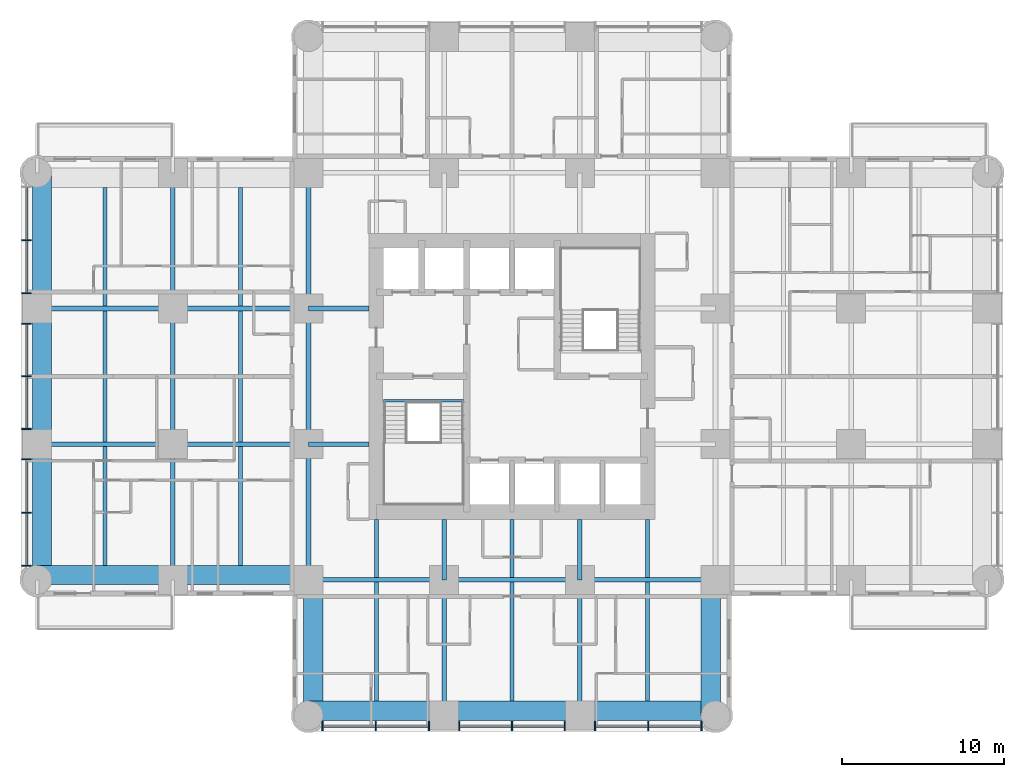
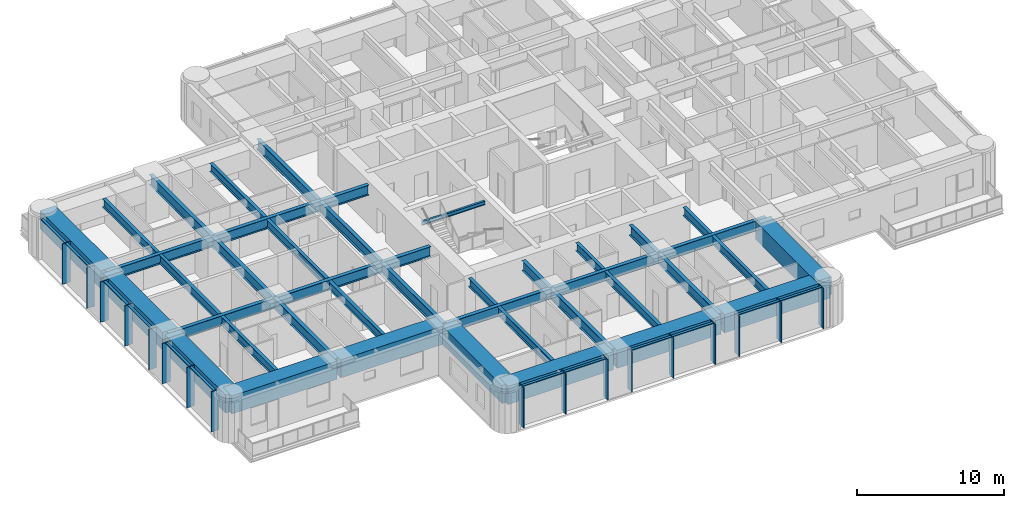
# One storey, part 2 of 14: 42 beams, 29 members, 2 elements without a shape of their own.
"""IFC4 building model written with IfcOpenShell, lengths in metres."""

from ifc_helpers import new_model, si_unit, direction, frame, origin, origin_2d, place, context, subcontext, project, spatial, rectangle, i_section, extrude, material, material_profile, profile_set, type_object, element, aggregate, save


model = new_model("IFC4")

# Units and contexts
model_context = context("Model", 3, precision=1e-05, world=origin(), true_north=direction((0.0, 1.0)))
body_context = subcontext(model_context, "Body", "Model", "MODEL_VIEW")
ifc_project = project(units=[si_unit("LENGTHUNIT", "METRE"), si_unit("AREAUNIT", "SQUARE_METRE"), si_unit("VOLUMEUNIT", "CUBIC_METRE"), si_unit("PLANEANGLEUNIT", "RADIAN"), si_unit("MASSUNIT", "GRAM", prefix="KILO")], contexts=[model_context])

# Site, building, storey
site_placement = place(None, origin())
site = spatial("IfcSite", under=ifc_project, at=site_placement, CompositionType="ELEMENT")
building_placement = place(site_placement, origin())
building = spatial("IfcBuilding", under=site, at=building_placement, Name="Torre Alcanfor", CompositionType="ELEMENT")
storey_placement = place(building_placement, frame((0.0, 0.0, 173.699951171875)))
storey = spatial("IfcBuildingStorey", under=building, at=storey_placement, Name="L45", CompositionType="ELEMENT", Elevation=173.699951171875)

# Curtain wall, members
ifc_material_1 = material(Name="Aluminium and glass", Category="aluminium")
curtain_wall_type = type_object("IfcCurtainWallType", Name="CW-A unitised apartment glazing with vertical FIN", PredefinedType="NOTDEFINED", material=ifc_material_1)
curtain_wall_1_placement = place(storey_placement, origin())
curtain_wall_1 = element("IfcCurtainWall", 1, at=curtain_wall_1_placement, inside=storey, type_object=curtain_wall_type, Name="Curtain wall CW-A L45 2", PredefinedType="NOTDEFINED")
ifc_material_2 = material(Name="Bronze anodised aluminium", Category="aluminium")
ifc_material_profile_1 = material_profile(ifc_material_2, rectangle(XDim=0.60009765625, YDim=0.06494140625, at=origin_2d()), Name="CW-A mullion 65x600")
ifc_profile_set_1 = profile_set([ifc_material_profile_1], Name="Bronze anodised aluminium")
member_type_1 = type_object("IfcMemberType", Name="CW-A mullion with vertical FIN 65x600", PredefinedType="MULLION", material=ifc_profile_set_1)
member_1_placement = place(storey_placement, frame((-0.64990234375, 37.835205078125, 0.0), z_axis=(0.0, 0.0, 1.0), x_axis=(1.0, 0.0, 0.0)))
member_1 = element("IfcMember", 2, at=member_1_placement, type_object=member_type_1, Name="CW-A mullion 1.2", PredefinedType="MULLION", context=body_context, shape_type="SweptSolid", body=[
    extrude(rectangle(XDim=0.60009765625, YDim=0.06494140625, at=origin_2d()), origin(), (0.0, 0.0, 1.0), 3.35009765625),
])
member_2_placement = place(storey_placement, frame((-0.64990234375, 34.53759765625, 0.0), z_axis=(0.0, 0.0, 1.0), x_axis=(1.0, 0.0, 0.0)))
member_2 = element("IfcMember", 3, at=member_2_placement, type_object=member_type_1, Name="CW-A mullion 1.3", PredefinedType="MULLION", context=body_context, shape_type="SweptSolid", body=[
    extrude(rectangle(XDim=0.60009765625, YDim=0.06494140625, at=origin_2d()), origin(), (0.0, 0.0, 1.0), 3.35009765625),
])
member_3_placement = place(storey_placement, frame((-0.64990234375, 32.66259765625, 0.0), z_axis=(0.0, 0.0, 1.0), x_axis=(1.0, 0.0, 0.0)))
member_3 = element("IfcMember", 4, at=member_3_placement, type_object=member_type_1, Name="CW-A mullion 2.1", PredefinedType="MULLION", context=body_context, shape_type="SweptSolid", body=[
    extrude(rectangle(XDim=0.60009765625, YDim=0.06494140625, at=origin_2d()), origin(), (0.0, 0.0, 1.0), 3.35009765625),
])
member_4_placement = place(storey_placement, frame((-0.64990234375, 29.39990234375, 0.0), z_axis=(0.0, 0.0, 1.0), x_axis=(1.0, 0.0, 0.0)))
member_4 = element("IfcMember", 5, at=member_4_placement, type_object=member_type_1, Name="CW-A mullion 2.2", PredefinedType="MULLION", context=body_context, shape_type="SweptSolid", body=[
    extrude(rectangle(XDim=0.60009765625, YDim=0.06494140625, at=origin_2d()), origin(), (0.0, 0.0, 1.0), 3.35009765625),
])
member_5_placement = place(storey_placement, frame((-0.64990234375, 26.137451171875, 0.0), z_axis=(0.0, 0.0, 1.0), x_axis=(1.0, 0.0, 0.0)))
member_5 = element("IfcMember", 6, at=member_5_placement, type_object=member_type_1, Name="CW-A mullion 2.3", PredefinedType="MULLION", context=body_context, shape_type="SweptSolid", body=[
    extrude(rectangle(XDim=0.60009765625, YDim=0.06494140625, at=origin_2d()), origin(), (0.0, 0.0, 1.0), 3.35009765625),
])
member_6_placement = place(storey_placement, frame((-0.64990234375, 24.262451171875, 0.0), z_axis=(0.0, 0.0, 1.0), x_axis=(1.0, 0.0, 0.0)))
member_6 = element("IfcMember", 7, at=member_6_placement, type_object=member_type_1, Name="CW-A mullion 3.1", PredefinedType="MULLION", context=body_context, shape_type="SweptSolid", body=[
    extrude(rectangle(XDim=0.60009765625, YDim=0.06494140625, at=origin_2d()), origin(), (0.0, 0.0, 1.0), 3.35009765625),
])
member_7_placement = place(storey_placement, frame((-0.64990234375, 20.96484375, 0.0), z_axis=(0.0, 0.0, 1.0), x_axis=(1.0, 0.0, 0.0)))
member_7 = element("IfcMember", 8, at=member_7_placement, type_object=member_type_1, Name="CW-A mullion 3.2", PredefinedType="MULLION", context=body_context, shape_type="SweptSolid", body=[
    extrude(rectangle(XDim=0.60009765625, YDim=0.06494140625, at=origin_2d()), origin(), (0.0, 0.0, 1.0), 3.35009765625),
])
member_8_placement = place(storey_placement, frame((-0.64990234375, 17.6669921875, 0.0), z_axis=(0.0, 0.0, 1.0), x_axis=(1.0, 0.0, 0.0)))
member_8 = element("IfcMember", 9, at=member_8_placement, type_object=member_type_1, Name="CW-A mullion 3.3", PredefinedType="MULLION", context=body_context, shape_type="SweptSolid", body=[
    extrude(rectangle(XDim=0.60009765625, YDim=0.06494140625, at=origin_2d()), origin(), (0.0, 0.0, 1.0), 3.35009765625),
])

curtain_wall_2_placement = place(storey_placement, origin())
curtain_wall_2 = element("IfcCurtainWall", 10, at=curtain_wall_2_placement, inside=storey, type_object=curtain_wall_type, Name="Curtain wall CW-A L45 5", PredefinedType="NOTDEFINED")
member_9_placement = place(storey_placement, frame((17.6669921875, 7.75, 0.0), z_axis=(0.0, 0.0, 1.0), x_axis=(0.0, 1.0, 0.0)))
member_9 = element("IfcMember", 11, at=member_9_placement, type_object=member_type_1, Name="CW-A mullion 1.1", PredefinedType="MULLION", context=body_context, shape_type="SweptSolid", body=[
    extrude(rectangle(XDim=0.60009765625, YDim=0.06494140625, at=origin_2d()), origin(), (0.0, 0.0, 1.0), 3.35009765625),
])
member_10_placement = place(storey_placement, frame((20.96484375, 7.75, 0.0), z_axis=(0.0, 0.0, 1.0), x_axis=(0.0, 1.0, 0.0)))
member_10 = element("IfcMember", 12, at=member_10_placement, type_object=member_type_1, Name="CW-A mullion 1.2", PredefinedType="MULLION", context=body_context, shape_type="SweptSolid", body=[
    extrude(rectangle(XDim=0.60009765625, YDim=0.06494140625, at=origin_2d()), origin(), (0.0, 0.0, 1.0), 3.35009765625),
])
member_11_placement = place(storey_placement, frame((24.262451171875, 7.75, 0.0), z_axis=(0.0, 0.0, 1.0), x_axis=(0.0, 1.0, 0.0)))
member_11 = element("IfcMember", 13, at=member_11_placement, type_object=member_type_1, Name="CW-A mullion 1.3", PredefinedType="MULLION", context=body_context, shape_type="SweptSolid", body=[
    extrude(rectangle(XDim=0.60009765625, YDim=0.06494140625, at=origin_2d()), origin(), (0.0, 0.0, 1.0), 3.35009765625),
])
member_12_placement = place(storey_placement, frame((26.137451171875, 7.75, 0.0), z_axis=(0.0, 0.0, 1.0), x_axis=(0.0, 1.0, 0.0)))
member_12 = element("IfcMember", 14, at=member_12_placement, type_object=member_type_1, Name="CW-A mullion 2.1", PredefinedType="MULLION", context=body_context, shape_type="SweptSolid", body=[
    extrude(rectangle(XDim=0.60009765625, YDim=0.06494140625, at=origin_2d()), origin(), (0.0, 0.0, 1.0), 3.35009765625),
])
member_13_placement = place(storey_placement, frame((29.39990234375, 7.75, 0.0), z_axis=(0.0, 0.0, 1.0), x_axis=(0.0, 1.0, 0.0)))
member_13 = element("IfcMember", 15, at=member_13_placement, type_object=member_type_1, Name="CW-A mullion 2.2", PredefinedType="MULLION", context=body_context, shape_type="SweptSolid", body=[
    extrude(rectangle(XDim=0.60009765625, YDim=0.06494140625, at=origin_2d()), origin(), (0.0, 0.0, 1.0), 3.35009765625),
])
member_14_placement = place(storey_placement, frame((32.66259765625, 7.75, 0.0), z_axis=(0.0, 0.0, 1.0), x_axis=(0.0, 1.0, 0.0)))
member_14 = element("IfcMember", 16, at=member_14_placement, type_object=member_type_1, Name="CW-A mullion 2.3", PredefinedType="MULLION", context=body_context, shape_type="SweptSolid", body=[
    extrude(rectangle(XDim=0.60009765625, YDim=0.06494140625, at=origin_2d()), origin(), (0.0, 0.0, 1.0), 3.35009765625),
])
member_15_placement = place(storey_placement, frame((34.53759765625, 7.75, 0.0), z_axis=(0.0, 0.0, 1.0), x_axis=(0.0, 1.0, 0.0)))
member_15 = element("IfcMember", 17, at=member_15_placement, type_object=member_type_1, Name="CW-A mullion 3.1", PredefinedType="MULLION", context=body_context, shape_type="SweptSolid", body=[
    extrude(rectangle(XDim=0.60009765625, YDim=0.06494140625, at=origin_2d()), origin(), (0.0, 0.0, 1.0), 3.35009765625),
])
member_16_placement = place(storey_placement, frame((37.835205078125, 7.75, 0.0), z_axis=(0.0, 0.0, 1.0), x_axis=(0.0, 1.0, 0.0)))
member_16 = element("IfcMember", 18, at=member_16_placement, type_object=member_type_1, Name="CW-A mullion 3.2", PredefinedType="MULLION", context=body_context, shape_type="SweptSolid", body=[
    extrude(rectangle(XDim=0.60009765625, YDim=0.06494140625, at=origin_2d()), origin(), (0.0, 0.0, 1.0), 3.35009765625),
])
member_17_placement = place(storey_placement, frame((41.133056640625, 7.75, 0.0), z_axis=(0.0, 0.0, 1.0), x_axis=(0.0, 1.0, 0.0)))
member_17 = element("IfcMember", 19, at=member_17_placement, type_object=member_type_1, Name="CW-A mullion 3.3", PredefinedType="MULLION", context=body_context, shape_type="SweptSolid", body=[
    extrude(rectangle(XDim=0.60009765625, YDim=0.06494140625, at=origin_2d()), origin(), (0.0, 0.0, 1.0), 3.35009765625),
])

# Member
ifc_material_3 = material(Name="Extruded aluminium", Category="aluminium")
ifc_material_profile_2 = material_profile(ifc_material_3, rectangle(XDim=0.199951171875, YDim=0.06494140625, at=origin_2d()), Name="CW-A transom 200x65")
ifc_profile_set_2 = profile_set([ifc_material_profile_2], Name="Extruded aluminium")
member_type_2 = type_object("IfcMemberType", Name="CW-A transom 65x200", PredefinedType="USERDEFINED", material=ifc_profile_set_2)
member_18_placement = place(storey_placement, frame((-0.64990234375, 41.1005859375, 3.317626953125), z_axis=(0.0, -1.0, 0.0), x_axis=(1.0, 0.0, 0.0)))
member_18 = element("IfcMember", 20, at=member_18_placement, type_object=member_type_2, Name="CW-A transom 1.1.2", ObjectType="TRANSOM", PredefinedType="USERDEFINED", context=body_context, shape_type="SweptSolid", body=[
    extrude(rectangle(XDim=0.199951171875, YDim=0.06494140625, at=origin_2d()), origin(), (0.0, 0.0, 1.0), 3.23291015625),
])

member_19_placement = place(storey_placement, frame((-0.64990234375, 37.802734375, 3.317626953125), z_axis=(0.0, -1.0, 0.0), x_axis=(1.0, 0.0, 0.0)))
member_19 = element("IfcMember", 21, at=member_19_placement, type_object=member_type_2, Name="CW-A transom 1.2.2", ObjectType="TRANSOM", PredefinedType="USERDEFINED", context=body_context, shape_type="SweptSolid", body=[
    extrude(rectangle(XDim=0.199951171875, YDim=0.06494140625, at=origin_2d()), origin(), (0.0, 0.0, 1.0), 3.232666015625),
])

member_20_placement = place(storey_placement, frame((-0.64990234375, 32.6298828125, 3.317626953125), z_axis=(0.0, -1.0, 0.0), x_axis=(1.0, 0.0, 0.0)))
member_20 = element("IfcMember", 22, at=member_20_placement, type_object=member_type_2, Name="CW-A transom 2.1.2", ObjectType="TRANSOM", PredefinedType="USERDEFINED", context=body_context, shape_type="SweptSolid", body=[
    extrude(rectangle(XDim=0.199951171875, YDim=0.06494140625, at=origin_2d()), origin(), (0.0, 0.0, 1.0), 3.197265625),
])

member_21_placement = place(storey_placement, frame((-0.64990234375, 29.367431640625, 3.317626953125), z_axis=(0.0, -1.0, 0.0), x_axis=(1.0, 0.0, 0.0)))
member_21 = element("IfcMember", 23, at=member_21_placement, type_object=member_type_2, Name="CW-A transom 2.2.2", ObjectType="TRANSOM", PredefinedType="USERDEFINED", context=body_context, shape_type="SweptSolid", body=[
    extrude(rectangle(XDim=0.199951171875, YDim=0.06494140625, at=origin_2d()), origin(), (0.0, 0.0, 1.0), 3.197509765625),
])

member_22_placement = place(storey_placement, frame((-0.64990234375, 24.22998046875, 3.317626953125), z_axis=(0.0, -1.0, 0.0), x_axis=(1.0, 0.0, 0.0)))
member_22 = element("IfcMember", 24, at=member_22_placement, type_object=member_type_2, Name="CW-A transom 3.1.2", ObjectType="TRANSOM", PredefinedType="USERDEFINED", context=body_context, shape_type="SweptSolid", body=[
    extrude(rectangle(XDim=0.199951171875, YDim=0.06494140625, at=origin_2d()), origin(), (0.0, 0.0, 1.0), 3.232666015625),
])

member_23_placement = place(storey_placement, frame((-0.64990234375, 20.93212890625, 3.317626953125), z_axis=(0.0, -1.0, 0.0), x_axis=(1.0, 0.0, 0.0)))
member_23 = element("IfcMember", 25, at=member_23_placement, type_object=member_type_2, Name="CW-A transom 3.2.2", ObjectType="TRANSOM", PredefinedType="USERDEFINED", context=body_context, shape_type="SweptSolid", body=[
    extrude(rectangle(XDim=0.199951171875, YDim=0.06494140625, at=origin_2d()), origin(), (0.0, 0.0, 1.0), 3.232666015625),
])

aggregate(curtain_wall_1, [member_1, member_2, member_18, member_19, member_3, member_4, member_5, member_20, member_21, member_6, member_7, member_8, member_22, member_23])

member_24_placement = place(storey_placement, frame((17.699462890625, 7.75, 3.317626953125), z_axis=(1.0, 0.0, 0.0), x_axis=(0.0, 1.0, 0.0)))
member_24 = element("IfcMember", 26, at=member_24_placement, type_object=member_type_2, Name="CW-A transom 1.1.2", ObjectType="TRANSOM", PredefinedType="USERDEFINED", context=body_context, shape_type="SweptSolid", body=[
    extrude(rectangle(XDim=0.199951171875, YDim=0.06494140625, at=origin_2d()), origin(), (0.0, 0.0, 1.0), 3.232666015625),
])

member_25_placement = place(storey_placement, frame((20.997314453125, 7.75, 3.317626953125), z_axis=(1.0, 0.0, 0.0), x_axis=(0.0, 1.0, 0.0)))
member_25 = element("IfcMember", 27, at=member_25_placement, type_object=member_type_2, Name="CW-A transom 1.2.2", ObjectType="TRANSOM", PredefinedType="USERDEFINED", context=body_context, shape_type="SweptSolid", body=[
    extrude(rectangle(XDim=0.199951171875, YDim=0.06494140625, at=origin_2d()), origin(), (0.0, 0.0, 1.0), 3.232666015625),
])

member_26_placement = place(storey_placement, frame((26.169921875, 7.75, 3.317626953125), z_axis=(1.0, 0.0, 0.0), x_axis=(0.0, 1.0, 0.0)))
member_26 = element("IfcMember", 28, at=member_26_placement, type_object=member_type_2, Name="CW-A transom 2.1.2", ObjectType="TRANSOM", PredefinedType="USERDEFINED", context=body_context, shape_type="SweptSolid", body=[
    extrude(rectangle(XDim=0.199951171875, YDim=0.06494140625, at=origin_2d()), origin(), (0.0, 0.0, 1.0), 3.197509765625),
])

member_27_placement = place(storey_placement, frame((29.4326171875, 7.75, 3.317626953125), z_axis=(1.0, 0.0, 0.0), x_axis=(0.0, 1.0, 0.0)))
member_27 = element("IfcMember", 29, at=member_27_placement, type_object=member_type_2, Name="CW-A transom 2.2.2", ObjectType="TRANSOM", PredefinedType="USERDEFINED", context=body_context, shape_type="SweptSolid", body=[
    extrude(rectangle(XDim=0.199951171875, YDim=0.06494140625, at=origin_2d()), origin(), (0.0, 0.0, 1.0), 3.197265625),
])

member_28_placement = place(storey_placement, frame((34.570068359375, 7.75, 3.317626953125), z_axis=(1.0, 0.0, 0.0), x_axis=(0.0, 1.0, 0.0)))
member_28 = element("IfcMember", 30, at=member_28_placement, type_object=member_type_2, Name="CW-A transom 3.1.2", ObjectType="TRANSOM", PredefinedType="USERDEFINED", context=body_context, shape_type="SweptSolid", body=[
    extrude(rectangle(XDim=0.199951171875, YDim=0.06494140625, at=origin_2d()), origin(), (0.0, 0.0, 1.0), 3.232666015625),
])

member_29_placement = place(storey_placement, frame((37.86767578125, 7.75, 3.317626953125), z_axis=(1.0, 0.0, 0.0), x_axis=(0.0, 1.0, 0.0)))
member_29 = element("IfcMember", 31, at=member_29_placement, type_object=member_type_2, Name="CW-A transom 3.2.2", ObjectType="TRANSOM", PredefinedType="USERDEFINED", context=body_context, shape_type="SweptSolid", body=[
    extrude(rectangle(XDim=0.199951171875, YDim=0.06494140625, at=origin_2d()), origin(), (0.0, 0.0, 1.0), 3.23291015625),
])

aggregate(curtain_wall_2, [member_9, member_10, member_11, member_24, member_25, member_12, member_13, member_14, member_26, member_27, member_15, member_16, member_17, member_28, member_29])

# Beams
ifc_material_4 = material(Name="Steel ASTM A992 Grade 50", Category="steel")
ifc_material_profile_3 = material_profile(ifc_material_4, i_section(OverallWidth=0.2919921875, OverallDepth=0.8408203125, WebThickness=0.0146484375, FlangeThickness=0.021728515625, at=origin_2d()), Name="W33x130")
ifc_profile_set_3 = profile_set([ifc_material_profile_3], Name="Steel ASTM A992 Grade 50")
beam_type_1 = type_object("IfcBeamType", Name="Girder W33x130", PredefinedType="BEAM", material=ifc_profile_set_3)
beam_1_placement = place(storey_placement, frame((16.800048828125, 16.800048828125, 2.9296875), z_axis=(1.0, 0.0, 0.0), x_axis=(0.0, 1.0, 0.0)))
element("IfcBeam", 32, at=beam_1_placement, inside=storey, type_object=beam_type_1, Name="Beam 3E-4E under L46", PredefinedType="BEAM", context=body_context, shape_type="SweptSolid", body=[
    extrude(i_section(OverallWidth=0.2919921875, OverallDepth=0.8408203125, WebThickness=0.0146484375, FlangeThickness=0.021728515625, at=origin_2d()), origin(), (0.0, 0.0, 1.0), 8.39990234375),
])
beam_2_placement = place(storey_placement, frame((25.199951171875, 16.800048828125, 2.9296875), z_axis=(1.0, 0.0, 0.0), x_axis=(0.0, 1.0, 0.0)))
element("IfcBeam", 33, at=beam_2_placement, inside=storey, type_object=beam_type_1, Name="Beam 4E-5E under L46", PredefinedType="BEAM", context=body_context, shape_type="SweptSolid", body=[
    extrude(i_section(OverallWidth=0.2919921875, OverallDepth=0.8408203125, WebThickness=0.0146484375, FlangeThickness=0.021728515625, at=origin_2d()), origin(), (0.0, 0.0, 1.0), 8.400146484375),
])
for number, where, z_axis, x_axis, name in (
    (34, (33.60009765625, 16.800048828125, 2.9296875), (1.0, 0.0, 0.0), (0.0, 1.0, 0.0), "Beam 5E-6E under L46"),
    (35, (0.0, 25.199951171875, 2.9296875), (1.0, 0.0, 0.0), (0.0, 1.0, 0.0), "Beam 1F-2F under L46"),
):
    element("IfcBeam", number, at=place(storey_placement, frame(where, z_axis=z_axis, x_axis=x_axis)), inside=storey, type_object=beam_type_1, Name=name, PredefinedType="BEAM", context=body_context, shape_type="SweptSolid", body=[
        extrude(i_section(OverallWidth=0.2919921875, OverallDepth=0.8408203125, WebThickness=0.0146484375, FlangeThickness=0.021728515625, at=origin_2d()), origin(), (0.0, 0.0, 1.0), 8.39990234375),
    ])
beam_3_placement = place(storey_placement, frame((8.39990234375, 25.199951171875, 2.9296875), z_axis=(1.0, 0.0, 0.0), x_axis=(0.0, 1.0, 0.0)))
element("IfcBeam", 36, at=beam_3_placement, inside=storey, type_object=beam_type_1, Name="Beam 2F-3F under L46", PredefinedType="BEAM", context=body_context, shape_type="SweptSolid", body=[
    extrude(i_section(OverallWidth=0.2919921875, OverallDepth=0.8408203125, WebThickness=0.0146484375, FlangeThickness=0.021728515625, at=origin_2d()), origin(), (0.0, 0.0, 1.0), 8.400146484375),
])
beam_4_placement = place(storey_placement, frame((0.0, 33.60009765625, 2.9296875), z_axis=(1.0, 0.0, 0.0), x_axis=(0.0, 1.0, 0.0)))
element("IfcBeam", 37, at=beam_4_placement, inside=storey, type_object=beam_type_1, Name="Beam 1G-2G under L46", PredefinedType="BEAM", context=body_context, shape_type="SweptSolid", body=[
    extrude(i_section(OverallWidth=0.2919921875, OverallDepth=0.8408203125, WebThickness=0.0146484375, FlangeThickness=0.021728515625, at=origin_2d()), origin(), (0.0, 0.0, 1.0), 8.39990234375),
])
beam_5_placement = place(storey_placement, frame((8.39990234375, 33.60009765625, 2.9296875), z_axis=(1.0, 0.0, 0.0), x_axis=(0.0, 1.0, 0.0)))
element("IfcBeam", 38, at=beam_5_placement, inside=storey, type_object=beam_type_1, Name="Beam 2G-3G under L46", PredefinedType="BEAM", context=body_context, shape_type="SweptSolid", body=[
    extrude(i_section(OverallWidth=0.2919921875, OverallDepth=0.8408203125, WebThickness=0.0146484375, FlangeThickness=0.021728515625, at=origin_2d()), origin(), (0.0, 0.0, 1.0), 8.400146484375),
])
beam_6_placement = place(storey_placement, frame((8.39990234375, 16.800048828125, 2.9296875), z_axis=(0.0, 1.0, 0.0), x_axis=(-1.0, 0.0, 0.0)))
element("IfcBeam", 39, at=beam_6_placement, inside=storey, type_object=beam_type_1, Name="Beam 2E-2F under L46", PredefinedType="BEAM", context=body_context, shape_type="SweptSolid", body=[
    extrude(i_section(OverallWidth=0.2919921875, OverallDepth=0.8408203125, WebThickness=0.0146484375, FlangeThickness=0.021728515625, at=origin_2d()), origin(), (0.0, 0.0, 1.0), 8.39990234375),
])
beam_7_placement = place(storey_placement, frame((8.39990234375, 25.199951171875, 2.9296875), z_axis=(0.0, 1.0, 0.0), x_axis=(-1.0, 0.0, 0.0)))
element("IfcBeam", 40, at=beam_7_placement, inside=storey, type_object=beam_type_1, Name="Beam 2F-2G under L46", PredefinedType="BEAM", context=body_context, shape_type="SweptSolid", body=[
    extrude(i_section(OverallWidth=0.2919921875, OverallDepth=0.8408203125, WebThickness=0.0146484375, FlangeThickness=0.021728515625, at=origin_2d()), origin(), (0.0, 0.0, 1.0), 8.400146484375),
])
for number, where, z_axis, x_axis, name in (
    (41, (8.39990234375, 33.60009765625, 2.9296875), (0.0, 1.0, 0.0), (-1.0, 0.0, 0.0), "Beam 2G-2H under L46"),
    (42, (16.800048828125, 16.800048828125, 2.9296875), (0.0, 1.0, 0.0), (-1.0, 0.0, 0.0), "Beam 3E-3F under L46"),
):
    element("IfcBeam", number, at=place(storey_placement, frame(where, z_axis=z_axis, x_axis=x_axis)), inside=storey, type_object=beam_type_1, Name=name, PredefinedType="BEAM", context=body_context, shape_type="SweptSolid", body=[
        extrude(i_section(OverallWidth=0.2919921875, OverallDepth=0.8408203125, WebThickness=0.0146484375, FlangeThickness=0.021728515625, at=origin_2d()), origin(), (0.0, 0.0, 1.0), 8.39990234375),
    ])
beam_8_placement = place(storey_placement, frame((16.800048828125, 25.199951171875, 2.9296875), z_axis=(0.0, 1.0, 0.0), x_axis=(-1.0, 0.0, 0.0)))
element("IfcBeam", 43, at=beam_8_placement, inside=storey, type_object=beam_type_1, Name="Beam 3F-3G under L46", PredefinedType="BEAM", context=body_context, shape_type="SweptSolid", body=[
    extrude(i_section(OverallWidth=0.2919921875, OverallDepth=0.8408203125, WebThickness=0.0146484375, FlangeThickness=0.021728515625, at=origin_2d()), origin(), (0.0, 0.0, 1.0), 8.400146484375),
])
beam_9_placement = place(storey_placement, frame((16.800048828125, 33.60009765625, 2.9296875), z_axis=(0.0, 1.0, 0.0), x_axis=(-1.0, 0.0, 0.0)))
element("IfcBeam", 44, at=beam_9_placement, inside=storey, type_object=beam_type_1, Name="Beam 3G-3H under L46", PredefinedType="BEAM", context=body_context, shape_type="SweptSolid", body=[
    extrude(i_section(OverallWidth=0.2919921875, OverallDepth=0.8408203125, WebThickness=0.0146484375, FlangeThickness=0.021728515625, at=origin_2d()), origin(), (0.0, 0.0, 1.0), 8.39990234375),
])
for number, where, z_axis, x_axis, name in (
    (45, (25.199951171875, 8.39990234375, 2.9296875), (0.0, 1.0, 0.0), (-1.0, 0.0, 0.0), "Beam 4D-4E under L46"),
    (46, (33.60009765625, 8.39990234375, 2.9296875), (0.0, 1.0, 0.0), (-1.0, 0.0, 0.0), "Beam 5D-5E under L46"),
):
    element("IfcBeam", number, at=place(storey_placement, frame(where, z_axis=z_axis, x_axis=x_axis)), inside=storey, type_object=beam_type_1, Name=name, PredefinedType="BEAM", context=body_context, shape_type="SweptSolid", body=[
        extrude(i_section(OverallWidth=0.2919921875, OverallDepth=0.8408203125, WebThickness=0.0146484375, FlangeThickness=0.021728515625, at=origin_2d()), origin(), (0.0, 0.0, 1.0), 8.400146484375),
    ])
ifc_material_5 = material(Name="Steel ASTM A992 Grade 50", Category="steel")
ifc_material_profile_4 = material_profile(ifc_material_5, i_section(OverallWidth=0.2919921875, OverallDepth=0.8408203125, WebThickness=0.0146484375, FlangeThickness=0.021728515625, at=origin_2d()), Name="W33x130")
ifc_profile_set_4 = profile_set([ifc_material_profile_4], Name="Steel ASTM A992 Grade 50")
beam_type_2 = type_object("IfcBeamType", Name="Girder, part bay W33x130", PredefinedType="BEAM", material=ifc_profile_set_4)
for number, where, z_axis, x_axis, name in (
    (47, (25.199951171875, 16.800048828125, 2.9296875), (0.0, 1.0, 0.0), (-1.0, 0.0, 0.0), "Beam 4E-420_55 under L46"),
    (48, (33.60009765625, 16.800048828125, 2.9296875), (0.0, 1.0, 0.0), (-1.0, 0.0, 0.0), "Beam 5E-520_55 under L46"),
    (49, (16.800048828125, 25.199951171875, 2.9296875), (1.0, 0.0, 0.0), (0.0, 1.0, 0.0), "Beam 3F-20_55F under L46"),
    (50, (16.800048828125, 33.60009765625, 2.9296875), (1.0, 0.0, 0.0), (0.0, 1.0, 0.0), "Beam 3G-20_55G under L46"),
):
    element("IfcBeam", number, at=place(storey_placement, frame(where, z_axis=z_axis, x_axis=x_axis)), inside=storey, type_object=beam_type_2, Name=name, PredefinedType="BEAM", context=body_context, shape_type="SweptSolid", body=[
        extrude(i_section(OverallWidth=0.2919921875, OverallDepth=0.8408203125, WebThickness=0.0146484375, FlangeThickness=0.021728515625, at=origin_2d()), origin(), (0.0, 0.0, 1.0), 3.75),
    ])
ifc_material_6 = material(Name="Concrete f'c 70 MPa", Category="concrete")
ifc_material_profile_5 = material_profile(ifc_material_6, rectangle(XDim=1.199951171875, YDim=1.5, at=origin_2d()), Name="1200x1500")
ifc_profile_set_5 = profile_set([ifc_material_profile_5], Name="Concrete f'c 70 MPa")
beam_type_3 = type_object("IfcBeamType", Name="RC perimeter beam 1200x1500", PredefinedType="BEAM", material=ifc_profile_set_5)
beam_10_placement = place(storey_placement, frame((16.800048828125, 8.699951171875, 2.60009765625), z_axis=(1.0, 0.0, 0.0), x_axis=(0.0, 1.0, 0.0)))
element("IfcBeam", 51, at=beam_10_placement, inside=storey, type_object=beam_type_3, Name="Beam 3D-4D under L46", PredefinedType="BEAM", context=body_context, shape_type="SweptSolid", body=[
    extrude(rectangle(XDim=1.199951171875, YDim=1.5, at=origin_2d()), origin(), (0.0, 0.0, 1.0), 8.25390625),
])
beam_11_placement = place(storey_placement, frame((25.345947265625, 8.699951171875, 2.60009765625), z_axis=(1.0, 0.0, 0.0), x_axis=(0.0, 1.0, 0.0)))
element("IfcBeam", 52, at=beam_11_placement, inside=storey, type_object=beam_type_3, Name="Beam 4D-5D under L46", PredefinedType="BEAM", context=body_context, shape_type="SweptSolid", body=[
    extrude(rectangle(XDim=1.199951171875, YDim=1.5, at=origin_2d()), origin(), (0.0, 0.0, 1.0), 8.108154296875),
])
for number, where, z_axis, x_axis, name in (
    (53, (33.74609375, 8.699951171875, 2.60009765625), (1.0, 0.0, 0.0), (0.0, 1.0, 0.0), "Beam 5D-6D under L46"),
    (54, (0.0, 17.10009765625, 2.60009765625), (1.0, 0.0, 0.0), (0.0, 1.0, 0.0), "Beam 1E-2E under L46"),
):
    element("IfcBeam", number, at=place(storey_placement, frame(where, z_axis=z_axis, x_axis=x_axis)), inside=storey, type_object=beam_type_3, Name=name, PredefinedType="BEAM", context=body_context, shape_type="SweptSolid", body=[
        extrude(rectangle(XDim=1.199951171875, YDim=1.5, at=origin_2d()), origin(), (0.0, 0.0, 1.0), 8.25390625),
    ])
beam_12_placement = place(storey_placement, frame((8.5458984375, 17.10009765625, 2.60009765625), z_axis=(1.0, 0.0, 0.0), x_axis=(0.0, 1.0, 0.0)))
element("IfcBeam", 55, at=beam_12_placement, inside=storey, type_object=beam_type_3, Name="Beam 2E-3E under L46", PredefinedType="BEAM", context=body_context, shape_type="SweptSolid", body=[
    extrude(rectangle(XDim=1.199951171875, YDim=1.5, at=origin_2d()), origin(), (0.0, 0.0, 1.0), 8.108154296875),
])
beam_13_placement = place(storey_placement, frame((0.300048828125, 16.800048828125, 2.60009765625), z_axis=(0.0, 1.0, 0.0), x_axis=(-1.0, 0.0, 0.0)))
element("IfcBeam", 56, at=beam_13_placement, inside=storey, type_object=beam_type_3, Name="Beam 1E-1F under L46", PredefinedType="BEAM", context=body_context, shape_type="SweptSolid", body=[
    extrude(rectangle(XDim=1.199951171875, YDim=1.5, at=origin_2d()), origin(), (0.0, 0.0, 1.0), 8.25390625),
])
beam_14_placement = place(storey_placement, frame((0.300048828125, 25.345947265625, 2.60009765625), z_axis=(0.0, 1.0, 0.0), x_axis=(-1.0, 0.0, 0.0)))
element("IfcBeam", 57, at=beam_14_placement, inside=storey, type_object=beam_type_3, Name="Beam 1F-1G under L46", PredefinedType="BEAM", context=body_context, shape_type="SweptSolid", body=[
    extrude(rectangle(XDim=1.199951171875, YDim=1.5, at=origin_2d()), origin(), (0.0, 0.0, 1.0), 8.108154296875),
])
beam_15_placement = place(storey_placement, frame((0.300048828125, 33.74609375, 2.60009765625), z_axis=(0.0, 1.0, 0.0), x_axis=(-1.0, 0.0, 0.0)))
element("IfcBeam", 58, at=beam_15_placement, inside=storey, type_object=beam_type_3, Name="Beam 1G-1H under L46", PredefinedType="BEAM", context=body_context, shape_type="SweptSolid", body=[
    extrude(rectangle(XDim=1.199951171875, YDim=1.5, at=origin_2d()), origin(), (0.0, 0.0, 1.0), 8.25390625),
])
for number, where, z_axis, x_axis, name in (
    (59, (17.10009765625, 8.39990234375, 2.60009765625), (0.0, 1.0, 0.0), (-1.0, 0.0, 0.0), "Beam 3D-3E under L46"),
    (60, (41.699951171875, 8.39990234375, 2.60009765625), (0.0, 1.0, 0.0), (-1.0, 0.0, 0.0), "Beam 6D-6E under L46"),
):
    element("IfcBeam", number, at=place(storey_placement, frame(where, z_axis=z_axis, x_axis=x_axis)), inside=storey, type_object=beam_type_3, Name=name, PredefinedType="BEAM", context=body_context, shape_type="SweptSolid", body=[
        extrude(rectangle(XDim=1.199951171875, YDim=1.5, at=origin_2d()), origin(), (0.0, 0.0, 1.0), 8.254150390625),
    ])
ifc_material_7 = material(Name="Steel ASTM A992 Grade 50", Category="steel")
ifc_material_profile_6 = material_profile(ifc_material_7, i_section(OverallWidth=0.25390625, OverallDepth=0.683349609375, WebThickness=0.012451171875, FlangeThickness=0.01904296875, at=origin_2d()), Name="W27x94")
ifc_profile_set_6 = profile_set([ifc_material_profile_6], Name="Steel ASTM A992 Grade 50")
beam_type_4 = type_object("IfcBeamType", Name="Secondary beam W27x94", PredefinedType="BEAM", material=ifc_profile_set_6)
beam_16_placement = place(storey_placement, frame((4.199951171875, 17.699951171875, 3.00830078125), z_axis=(0.0, 1.0, 0.0), x_axis=(-1.0, 0.0, 0.0)))
element("IfcBeam", 61, at=beam_16_placement, inside=storey, type_object=beam_type_4, Name="Beam 4_2E-4_2F under L46", PredefinedType="BEAM", context=body_context, shape_type="SweptSolid", body=[
    extrude(i_section(OverallWidth=0.25390625, OverallDepth=0.683349609375, WebThickness=0.012451171875, FlangeThickness=0.01904296875, at=origin_2d()), origin(), (0.0, 0.0, 1.0), 7.35400390625),
])
beam_17_placement = place(storey_placement, frame((4.199951171875, 25.345947265625, 3.00830078125), z_axis=(0.0, 1.0, 0.0), x_axis=(-1.0, 0.0, 0.0)))
element("IfcBeam", 62, at=beam_17_placement, inside=storey, type_object=beam_type_4, Name="Beam 4_2F-4_2G under L46", PredefinedType="BEAM", context=body_context, shape_type="SweptSolid", body=[
    extrude(i_section(OverallWidth=0.25390625, OverallDepth=0.683349609375, WebThickness=0.012451171875, FlangeThickness=0.01904296875, at=origin_2d()), origin(), (0.0, 0.0, 1.0), 8.108154296875),
])
for number, where, z_axis, x_axis, name in (
    (63, (4.199951171875, 33.74609375, 3.00830078125), (0.0, 1.0, 0.0), (-1.0, 0.0, 0.0), "Beam 4_2G-4_2H under L46"),
    (64, (12.60009765625, 17.699951171875, 3.00830078125), (0.0, 1.0, 0.0), (-1.0, 0.0, 0.0), "Beam 12_6E-12_6F under L46"),
):
    element("IfcBeam", number, at=place(storey_placement, frame(where, z_axis=z_axis, x_axis=x_axis)), inside=storey, type_object=beam_type_4, Name=name, PredefinedType="BEAM", context=body_context, shape_type="SweptSolid", body=[
        extrude(i_section(OverallWidth=0.25390625, OverallDepth=0.683349609375, WebThickness=0.012451171875, FlangeThickness=0.01904296875, at=origin_2d()), origin(), (0.0, 0.0, 1.0), 7.35400390625),
    ])
beam_18_placement = place(storey_placement, frame((12.60009765625, 25.345947265625, 3.00830078125), z_axis=(0.0, 1.0, 0.0), x_axis=(-1.0, 0.0, 0.0)))
element("IfcBeam", 65, at=beam_18_placement, inside=storey, type_object=beam_type_4, Name="Beam 12_6F-12_6G under L46", PredefinedType="BEAM", context=body_context, shape_type="SweptSolid", body=[
    extrude(i_section(OverallWidth=0.25390625, OverallDepth=0.683349609375, WebThickness=0.012451171875, FlangeThickness=0.01904296875, at=origin_2d()), origin(), (0.0, 0.0, 1.0), 8.108154296875),
])
for number, where, z_axis, x_axis, name in (
    (66, (12.60009765625, 33.74609375, 3.00830078125), (0.0, 1.0, 0.0), (-1.0, 0.0, 0.0), "Beam 12_6G-12_6H under L46"),
    (67, (21.0, 9.300048828125, 3.00830078125), (0.0, 1.0, 0.0), (-1.0, 0.0, 0.0), "Beam 21D-21E under L46"),
    (68, (29.39990234375, 9.300048828125, 3.00830078125), (0.0, 1.0, 0.0), (-1.0, 0.0, 0.0), "Beam 29_4D-29_4E under L46"),
    (69, (37.800048828125, 9.300048828125, 3.00830078125), (0.0, 1.0, 0.0), (-1.0, 0.0, 0.0), "Beam 37_8D-37_8E under L46"),
):
    element("IfcBeam", number, at=place(storey_placement, frame(where, z_axis=z_axis, x_axis=x_axis)), inside=storey, type_object=beam_type_4, Name=name, PredefinedType="BEAM", context=body_context, shape_type="SweptSolid", body=[
        extrude(i_section(OverallWidth=0.25390625, OverallDepth=0.683349609375, WebThickness=0.012451171875, FlangeThickness=0.01904296875, at=origin_2d()), origin(), (0.0, 0.0, 1.0), 7.35400390625),
    ])
ifc_material_8 = material(Name="Steel ASTM A992 Grade 50", Category="steel")
ifc_material_profile_7 = material_profile(ifc_material_8, i_section(OverallWidth=0.25390625, OverallDepth=0.683349609375, WebThickness=0.012451171875, FlangeThickness=0.01904296875, at=origin_2d()), Name="W27x94")
ifc_profile_set_7 = profile_set([ifc_material_profile_7], Name="Steel ASTM A992 Grade 50")
beam_type_5 = type_object("IfcBeamType", Name="Secondary beam, part bay W27x94", PredefinedType="BEAM", material=ifc_profile_set_7)
for number, where, z_axis, x_axis, name in (
    (70, (21.0, 16.946044921875, 3.00830078125), (0.0, 1.0, 0.0), (-1.0, 0.0, 0.0), "Beam 21E-2120_55 under L46"),
    (71, (29.39990234375, 16.946044921875, 3.00830078125), (0.0, 1.0, 0.0), (-1.0, 0.0, 0.0), "Beam 29_4E-29_420_55 under L46"),
    (72, (37.800048828125, 16.946044921875, 3.00830078125), (0.0, 1.0, 0.0), (-1.0, 0.0, 0.0), "Beam 37_8E-37_820_55 under L46"),
):
    element("IfcBeam", number, at=place(storey_placement, frame(where, z_axis=z_axis, x_axis=x_axis)), inside=storey, type_object=beam_type_5, Name=name, PredefinedType="BEAM", context=body_context, shape_type="SweptSolid", body=[
        extrude(i_section(OverallWidth=0.25390625, OverallDepth=0.683349609375, WebThickness=0.012451171875, FlangeThickness=0.01904296875, at=origin_2d()), origin(), (0.0, 0.0, 1.0), 3.60400390625),
    ])
ifc_material_9 = material(Name="Steel ASTM A992 Grade 50", Category="steel")
ifc_material_profile_8 = material_profile(ifc_material_9, i_section(OverallWidth=0.164794921875, OverallDepth=0.309814453125, WebThickness=0.005859375, FlangeThickness=0.009765625, at=origin_2d()), Name="W12x26")
ifc_profile_set_8 = profile_set([ifc_material_profile_8], Name="Steel ASTM A992 Grade 50")
beam_type_6 = type_object("IfcBeamType", Name="Stair landing beam W12x26", PredefinedType="BEAM", material=ifc_profile_set_8)
beam_19_placement = place(storey_placement, frame((21.449951171875, 27.887451171875, 3.2451171875), z_axis=(1.0, 0.0, 0.0), x_axis=(0.0, 1.0, 0.0)))
element("IfcBeam", 73, at=beam_19_placement, inside=storey, type_object=beam_type_6, Name="Landing trimmer S1 L46", PredefinedType="BEAM", context=body_context, shape_type="SweptSolid", body=[
    extrude(i_section(OverallWidth=0.164794921875, OverallDepth=0.309814453125, WebThickness=0.005859375, FlangeThickness=0.009765625, at=origin_2d()), origin(), (0.0, 0.0, 1.0), 4.949951171875),
])

save(model, "model.ifc")
